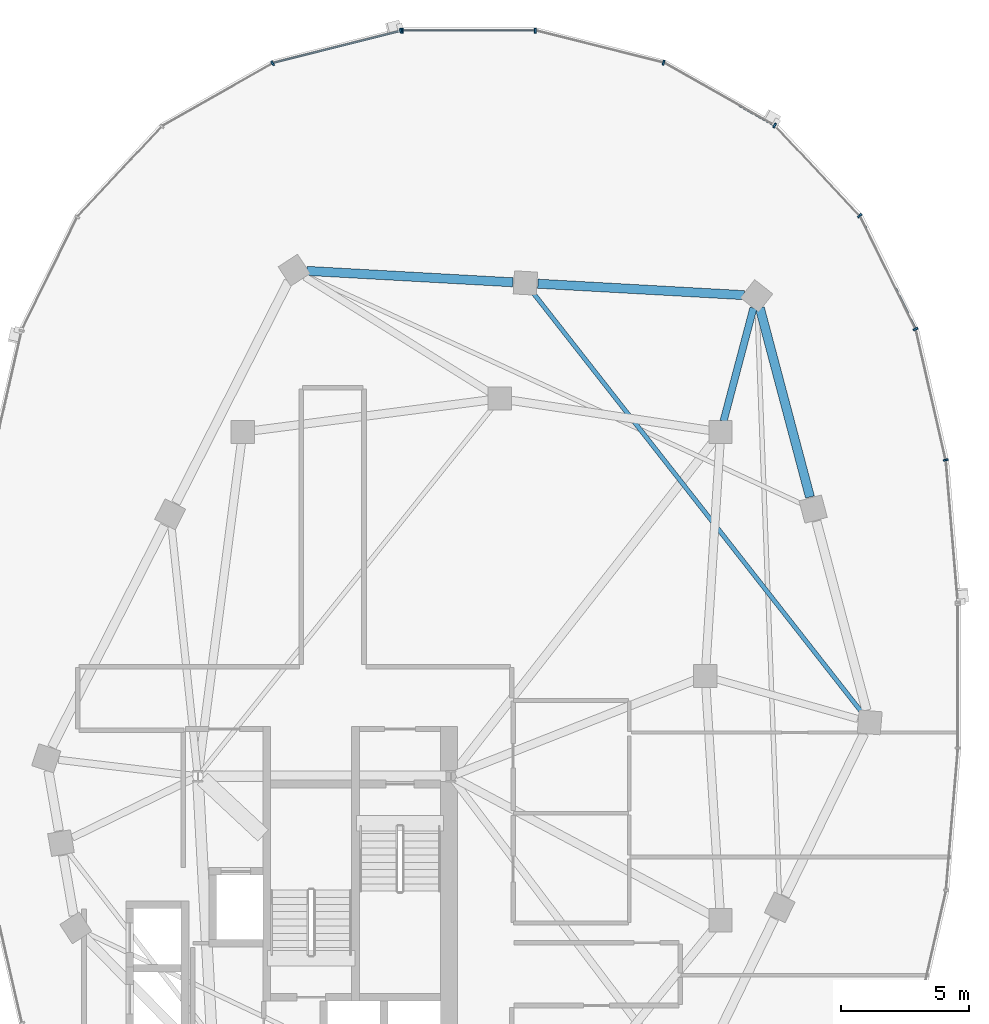
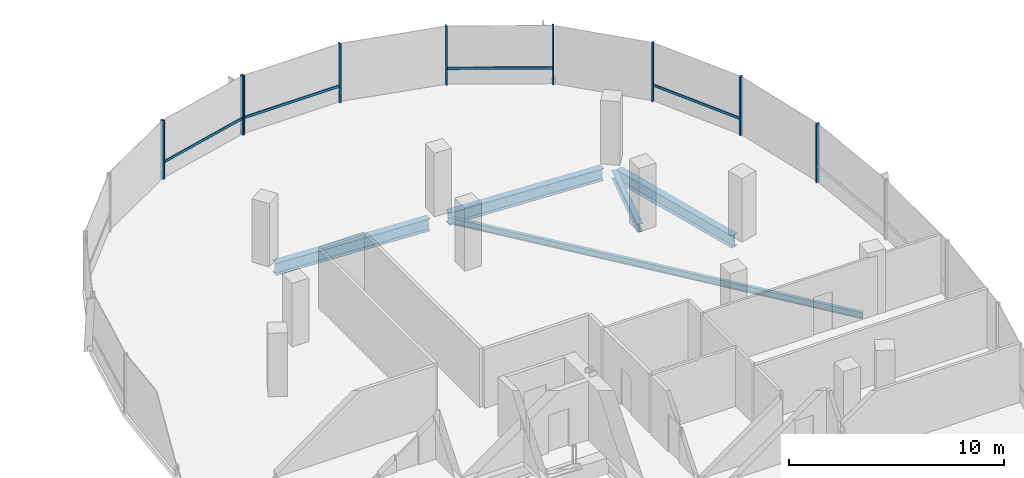
# One storey, part 12 of 25: 13 members, 5 beams, 2 elements without a shape of their own.
"""IFC4 building model written with IfcOpenShell, lengths in metres."""

from ifc_helpers import new_model, si_unit, direction, frame, origin, origin_2d, place, context, subcontext, project, spatial, rectangle, i_section, extrude, material, material_profile, profile_set, type_object, element, aggregate, save


model = new_model("IFC4")

# Units and contexts
model_context = context("Model", 3, precision=1e-05, world=origin(), true_north=direction((0.0, 1.0)))
body_context = subcontext(model_context, "Body", "Model", "MODEL_VIEW")
ifc_project = project(units=[si_unit("LENGTHUNIT", "METRE"), si_unit("AREAUNIT", "SQUARE_METRE"), si_unit("VOLUMEUNIT", "CUBIC_METRE"), si_unit("PLANEANGLEUNIT", "RADIAN"), si_unit("MASSUNIT", "GRAM", prefix="KILO"), si_unit("THERMODYNAMICTEMPERATUREUNIT", "KELVIN"), si_unit("POWERUNIT", "WATT")], contexts=[model_context])

# Site, building, storey
site_placement = place(None, origin())
site = spatial("IfcSite", under=ifc_project, at=site_placement, CompositionType="ELEMENT")
building_placement = place(site_placement, origin())
building = spatial("IfcBuilding", under=site, at=building_placement, Name="Cundina Bronze Exchange", CompositionType="ELEMENT")
storey_placement = place(building_placement, frame((0.0, 0.0, 191.800048828125)))
storey = spatial("IfcBuildingStorey", under=building, at=storey_placement, Name="L50", CompositionType="ELEMENT", Elevation=191.800048828125)

# Beams
ifc_material_1 = material(Name="Steel ASTM A992 Grade 50", Category="steel")
ifc_material_profile_1 = material_profile(ifc_material_1, i_section(OverallWidth=0.280029296875, OverallDepth=0.462890625, WebThickness=0.0107421875, FlangeThickness=0.017333984375, FilletRadius=0.011962890625, at=origin_2d()), Name="W18X76", Category="steel")
ifc_profile_set_1 = profile_set([ifc_material_profile_1], Name="Steel ASTM A992 Grade 50")
beam_type_1 = type_object("IfcBeamType", Name="BM-FLR-W18A", PredefinedType="BEAM", material=ifc_profile_set_1)
beam_1_placement = place(storey_placement, frame((41.911865234375, 9.923583984375, -0.491455078125), z_axis=(0.255413807463, 0.966831829719, 0.0), x_axis=(-0.966831829719, 0.255413807463, 0.0)))
element("IfcBeam", 1, at=beam_1_placement, inside=storey, type_object=beam_type_1, Name="L50 Leg E Chordal Floor Beam 10", PredefinedType="BEAM", context=body_context, shape_type="SweptSolid", body=[
    extrude(i_section(OverallWidth=0.280029296875, OverallDepth=0.462890625, WebThickness=0.0107421875, FlangeThickness=0.017333984375, FilletRadius=0.011962890625, at=origin_2d()), origin(), (0.0, 0.0, 1.0), 4.5556640625),
])
ifc_material_profile_2 = material_profile(ifc_material_1, i_section(OverallWidth=0.172119140625, OverallDepth=0.35791015625, WebThickness=0.0078125, FlangeThickness=0.01318359375, FilletRadius=0.010009765625, at=origin_2d()), Name="W14X38", Category="steel")
ifc_profile_set_2 = profile_set([ifc_material_profile_2], Name="Steel ASTM A992 Grade 50")
beam_type_2 = type_object("IfcBeamType", Name="BM-JST-W14", PredefinedType="JOIST", material=ifc_profile_set_2)
beam_2_placement = place(storey_placement, frame((47.299072265625, -1.416015625, -0.43896484375), z_axis=(-0.616801484103, 0.787118751656, 0.0), x_axis=(-0.787118751656, -0.616801484103, 0.0)))
element("IfcBeam", 2, at=beam_2_placement, inside=storey, type_object=beam_type_2, Name="L50 Leg E Lobe Floor Joist 08-11", PredefinedType="JOIST", context=body_context, shape_type="SweptSolid", body=[
    extrude(i_section(OverallWidth=0.172119140625, OverallDepth=0.35791015625, WebThickness=0.0078125, FlangeThickness=0.01318359375, FilletRadius=0.010009765625, at=origin_2d()), origin(), (0.0, 0.0, 1.0), 20.7490234375),
])
ifc_material_profile_3 = material_profile(ifc_material_1, i_section(OverallWidth=0.35498046875, OverallDepth=0.695068359375, WebThickness=0.015380859375, FlangeThickness=0.02490234375, FilletRadius=0.01806640625, at=origin_2d()), Name="W27X146", Category="steel")
ifc_profile_set_3 = profile_set([ifc_material_profile_3], Name="Steel ASTM A992 Grade 50")
beam_type_3 = type_object("IfcBeamType", Name="BM-RING-W27", PredefinedType="USERDEFINED", material=ifc_profile_set_3)
beam_3_placement = place(storey_placement, frame((45.27490234375, 6.9716796875, -0.607666015625), z_axis=(-0.256210841755, 0.96662092082, 0.0), x_axis=(-0.96662092082, -0.256210841755, 0.0)))
element("IfcBeam", 3, at=beam_3_placement, inside=storey, type_object=beam_type_3, Name="L50 E Perimeter Ring Girder 09", ObjectType="GIRDER", PredefinedType="USERDEFINED", context=body_context, shape_type="SweptSolid", body=[
    extrude(i_section(OverallWidth=0.35498046875, OverallDepth=0.695068359375, WebThickness=0.015380859375, FlangeThickness=0.02490234375, FilletRadius=0.01806640625, at=origin_2d()), origin(), (0.0, 0.0, 1.0), 7.61083984375),
])
for number, where, z_axis, x_axis, name in (
    (4, (42.712890625, 14.8271484375, -0.607666015625), (-0.998460820451, 0.055461608559, 0.0), (-0.055461608559, -0.998460820451, 0.0), "L50 E Perimeter Ring Girder 10"),
    (5, (33.712890625, 15.3271484375, -0.607666015625), (-0.998460820451, 0.055461608559, 0.0), (-0.055461608559, -0.998460820451, 0.0), "L50 E Perimeter Ring Girder 11"),
):
    element("IfcBeam", number, at=place(storey_placement, frame(where, z_axis=z_axis, x_axis=x_axis)), inside=storey, type_object=beam_type_3, Name=name, ObjectType="GIRDER", PredefinedType="USERDEFINED", context=body_context, shape_type="SweptSolid", body=[
        extrude(i_section(OverallWidth=0.35498046875, OverallDepth=0.695068359375, WebThickness=0.015380859375, FlangeThickness=0.02490234375, FilletRadius=0.01806640625, at=origin_2d()), origin(), (0.0, 0.0, 1.0), 8.0380859375),
    ])

# Curtain wall, members
ifc_material_2 = material(Name="Anodised Bronze Aluminium 6063-T6", Category="aluminium")
curtain_wall_type = type_object("IfcCurtainWallType", Name="CWS-UPP-OFF", PredefinedType="NOTDEFINED", material=ifc_material_2)
curtain_wall_1_placement = place(storey_placement, origin())
curtain_wall_1 = element("IfcCurtainWall", 6, at=curtain_wall_1_placement, inside=storey, type_object=curtain_wall_type, Name="L50 CW-05 Curtain Wall Run CWR-L50-E1", PredefinedType="NOTDEFINED")
ifc_material_profile_4 = material_profile(ifc_material_2, rectangle(XDim=0.070068359375, YDim=0.18994140625, at=origin_2d()), Name="AL70X190", Category="aluminium")
ifc_profile_set_4 = profile_set([ifc_material_profile_4], Name="Anodised Bronze Aluminium 6063-T6")
member_type_1 = type_object("IfcMemberType", Name="CWM-MUL-190", PredefinedType="MULLION", material=ifc_profile_set_4)
member_1_placement = place(storey_placement, frame((50.56005859375, 8.4111328125, 0.0), z_axis=(0.0, 0.0, 1.0), x_axis=(-0.223250116011, 0.974761194191, 0.0)))
member_1 = element("IfcMember", 7, at=member_1_placement, type_object=member_type_1, Name="CW-05 Mullion 2", PredefinedType="MULLION", context=body_context, shape_type="SweptSolid", body=[
    extrude(rectangle(XDim=0.070068359375, YDim=0.18994140625, at=origin_2d()), origin(), (0.0, 0.0, 1.0), 3.33984375),
])
member_2_placement = place(storey_placement, frame((49.38427734375, 13.50732421875, 0.0), z_axis=(0.0, 0.0, 1.0), x_axis=(-0.440566004113, 0.897720221461, 0.0)))
member_2 = element("IfcMember", 8, at=member_2_placement, type_object=member_type_1, Name="CW-05 Mullion 3", PredefinedType="MULLION", context=body_context, shape_type="SweptSolid", body=[
    extrude(rectangle(XDim=0.070068359375, YDim=0.18994140625, at=origin_2d()), origin(), (0.0, 0.0, 1.0), 3.33984375),
])
member_3_placement = place(storey_placement, frame((47.209716796875, 17.91796875, 0.0), z_axis=(0.0, 0.0, 1.0), x_axis=(-0.684292606175, 0.729207535023, 0.0)))
member_3 = element("IfcMember", 9, at=member_3_placement, type_object=member_type_1, Name="CW-05 Mullion 4", PredefinedType="MULLION", context=body_context, shape_type="SweptSolid", body=[
    extrude(rectangle(XDim=0.070068359375, YDim=0.18994140625, at=origin_2d()), origin(), (0.0, 0.0, 1.0), 3.33984375),
])
member_4_placement = place(storey_placement, frame((43.899658203125, 21.43115234375, 0.0), z_axis=(0.0, 0.0, 1.0), x_axis=(-0.86958112538, 0.493790103568, 0.0)))
member_4 = element("IfcMember", 10, at=member_4_placement, type_object=member_type_1, Name="CW-05 Mullion 5", PredefinedType="MULLION", context=body_context, shape_type="SweptSolid", body=[
    extrude(rectangle(XDim=0.070068359375, YDim=0.18994140625, at=origin_2d()), origin(), (0.0, 0.0, 1.0), 3.33984375),
])
member_5_placement = place(storey_placement, frame((39.577392578125, 23.87548828125, 0.0), z_axis=(0.0, 0.0, 1.0), x_axis=(-0.969744325821, 0.244122802168, 0.0)))
member_5 = element("IfcMember", 11, at=member_5_placement, type_object=member_type_1, Name="CW-05 Mullion 6", PredefinedType="MULLION", context=body_context, shape_type="SweptSolid", body=[
    extrude(rectangle(XDim=0.070068359375, YDim=0.18994140625, at=origin_2d()), origin(), (0.0, 0.0, 1.0), 3.33984375),
])
member_6_placement = place(storey_placement, frame((34.580078125, 25.125, 0.0), z_axis=(0.0, 0.0, 1.0), x_axis=(-1.0, 0.0, 0.0)))
member_6 = element("IfcMember", 12, at=member_6_placement, type_object=member_type_1, Name="CW-05 Mullion 7", PredefinedType="MULLION", context=body_context, shape_type="SweptSolid", body=[
    extrude(rectangle(XDim=0.070068359375, YDim=0.18994140625, at=origin_2d()), origin(), (0.0, 0.0, 1.0), 3.33984375),
])
member_7_placement = place(storey_placement, frame((29.419921875, 25.125, 0.0), z_axis=(0.0, 0.0, 1.0), x_axis=(-1.0, 0.0, 0.0)))
member_7 = element("IfcMember", 13, at=member_7_placement, type_object=member_type_1, Name="CW-05 End Mullion", PredefinedType="MULLION", context=body_context, shape_type="SweptSolid", body=[
    extrude(rectangle(XDim=0.070068359375, YDim=0.18994140625, at=origin_2d()), origin(), (0.0, 0.0, 1.0), 3.33984375),
])

curtain_wall_2_placement = place(storey_placement, origin())
curtain_wall_2 = element("IfcCurtainWall", 14, at=curtain_wall_2_placement, inside=storey, type_object=curtain_wall_type, Name="L50 CW-05 Curtain Wall Run CWR-L50-E2", PredefinedType="NOTDEFINED")
member_8_placement = place(storey_placement, frame((29.3515625, 25.116455078125, 0.0), z_axis=(0.0, 0.0, 1.0), x_axis=(-0.969744325821, -0.244122802168, 0.0)))
member_8 = element("IfcMember", 15, at=member_8_placement, type_object=member_type_1, Name="CW-05 Mullion 1", PredefinedType="MULLION", context=body_context, shape_type="SweptSolid", body=[
    extrude(rectangle(XDim=0.070068359375, YDim=0.18994140625, at=origin_2d()), origin(), (0.0, 0.0, 1.0), 3.33984375),
])
member_9_placement = place(storey_placement, frame((24.361083984375, 23.850830078125, 0.0), z_axis=(0.0, 0.0, 1.0), x_axis=(-0.86958112538, -0.493790103568, 0.0)))
member_9 = element("IfcMember", 16, at=member_9_placement, type_object=member_type_1, Name="CW-05 Mullion 2", PredefinedType="MULLION", context=body_context, shape_type="SweptSolid", body=[
    extrude(rectangle(XDim=0.070068359375, YDim=0.18994140625, at=origin_2d()), origin(), (0.0, 0.0, 1.0), 3.33984375),
])

# Member
ifc_material_profile_5 = material_profile(ifc_material_2, rectangle(XDim=0.06494140625, YDim=0.14990234375, at=origin_2d()), Name="AL65X150", Category="aluminium")
ifc_profile_set_5 = profile_set([ifc_material_profile_5], Name="Anodised Bronze Aluminium 6063-T6")
member_type_2 = type_object("IfcMemberType", Name="CWM-TRN-150", PredefinedType="USERDEFINED", material=ifc_profile_set_5)
member_10_placement = place(storey_placement, frame((49.3671875, 13.5419921875, 0.919921875), z_axis=(-0.440483110889, 0.897760897467, 0.0), x_axis=(-0.897760897467, -0.440483110889, 0.0)))
member_10 = element("IfcMember", 17, at=member_10_placement, type_object=member_type_2, Name="CW-05 Spandrel Transom 3", ObjectType="TRANSOM", PredefinedType="USERDEFINED", context=body_context, shape_type="SweptSolid", body=[
    extrude(rectangle(XDim=0.06494140625, YDim=0.14990234375, at=origin_2d()), origin(), (0.0, 0.0, 1.0), 4.855224609375),
])

member_11_placement = place(storey_placement, frame((43.8662109375, 21.4501953125, 0.919921875), z_axis=(-0.869573748083, 0.493803095013, 0.0), x_axis=(-0.493803095013, -0.869573748083, 0.0)))
member_11 = element("IfcMember", 18, at=member_11_placement, type_object=member_type_2, Name="CW-05 Spandrel Transom 5", ObjectType="TRANSOM", PredefinedType="USERDEFINED", context=body_context, shape_type="SweptSolid", body=[
    extrude(rectangle(XDim=0.06494140625, YDim=0.14990234375, at=origin_2d()), origin(), (0.0, 0.0, 1.0), 4.900146484375),
])

member_12_placement = place(storey_placement, frame((34.54150390625, 25.125, 0.919921875), z_axis=(-1.0, 0.0, 0.0), x_axis=(0.0, -1.0, 0.0)))
member_12 = element("IfcMember", 19, at=member_12_placement, type_object=member_type_2, Name="CW-05 Spandrel Transom 7", ObjectType="TRANSOM", PredefinedType="USERDEFINED", context=body_context, shape_type="SweptSolid", body=[
    extrude(rectangle(XDim=0.06494140625, YDim=0.14990234375, at=origin_2d()), origin(), (0.0, 0.0, 1.0), 5.0830078125),
])

aggregate(curtain_wall_1, [member_1, member_2, member_10, member_3, member_4, member_11, member_5, member_6, member_7, member_12])

member_13_placement = place(storey_placement, frame((29.314208984375, 25.107177734375, 0.919921875), z_axis=(-0.969725738797, -0.244196624699, 0.0), x_axis=(0.244196624699, -0.969725738797, 0.0)))
member_13 = element("IfcMember", 20, at=member_13_placement, type_object=member_type_2, Name="CW-05 Spandrel Transom 1", ObjectType="TRANSOM", PredefinedType="USERDEFINED", context=body_context, shape_type="SweptSolid", body=[
    extrude(rectangle(XDim=0.06494140625, YDim=0.14990234375, at=origin_2d()), origin(), (0.0, 0.0, 1.0), 5.082763671875),
])

aggregate(curtain_wall_2, [member_8, member_13, member_9])

save(model, "model.ifc")
